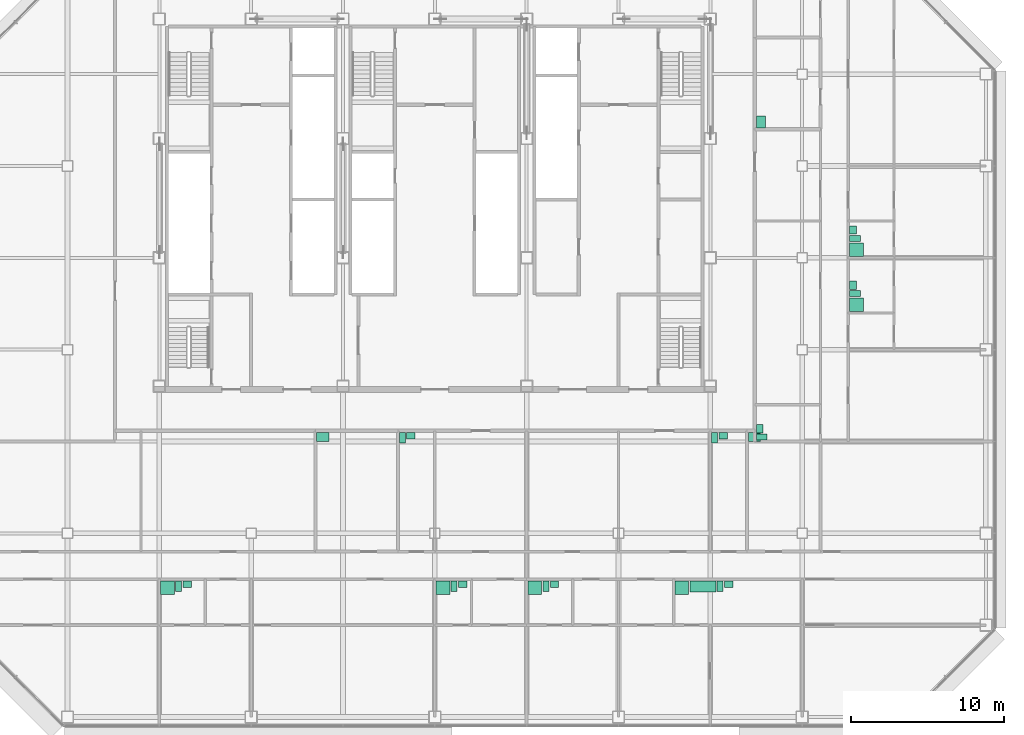
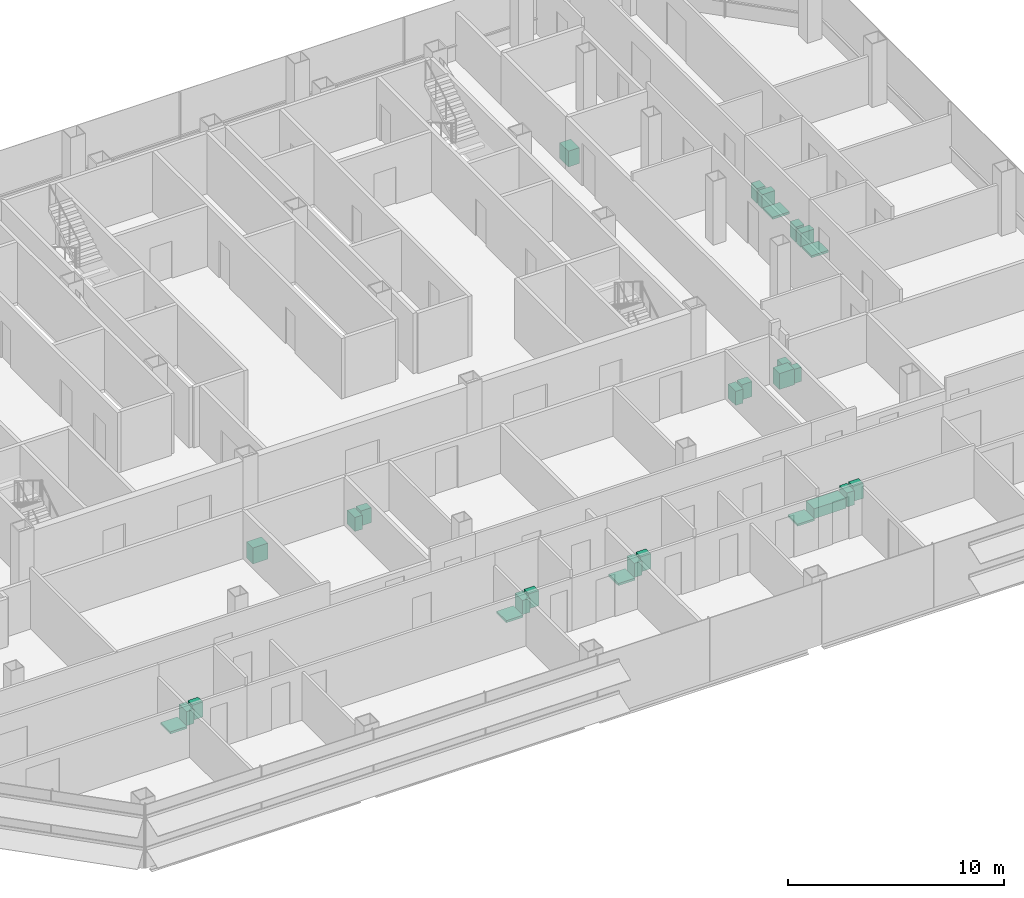
# One storey, part 25 of 25: 28 sanitary terminals.
"""IFC4 building model written with IfcOpenShell, lengths in metres."""

from ifc_helpers import new_model, si_unit, direction, frame, origin, origin_2d, place, context, subcontext, project, spatial, rectangle, extrude, element, save


model = new_model("IFC4")

# Units and contexts
model_context = context("Model", 3, precision=1e-05, world=origin(), true_north=direction((0.0, 1.0)))
body_context = subcontext(model_context, "Body", "Model", "MODEL_VIEW")
ifc_project = project(units=[si_unit("LENGTHUNIT", "METRE"), si_unit("AREAUNIT", "SQUARE_METRE"), si_unit("VOLUMEUNIT", "CUBIC_METRE"), si_unit("PLANEANGLEUNIT", "RADIAN"), si_unit("MASSUNIT", "GRAM", prefix="KILO")], contexts=[model_context])

# Site, building, storey
site_placement = place(None, origin())
site = spatial("IfcSite", under=ifc_project, at=site_placement, CompositionType="ELEMENT")
building_placement = place(site_placement, origin())
building = spatial("IfcBuilding", under=site, at=building_placement, Name="Sorahane Residences", CompositionType="ELEMENT")
storey_placement = place(building_placement, frame((0.0, 0.0, 107.0)))
storey = spatial("IfcBuildingStorey", under=building, at=storey_placement, Name="L23", CompositionType="ELEMENT", Elevation=107.0)

# Sanitary terminals
sanitary_terminal_1_placement = place(storey_placement, frame((6.530029296875, 8.449951171875, 0.0), z_axis=(0.0, 0.0, 1.0), x_axis=(1.0, 0.0, 0.0)))
element("IfcSanitaryTerminal", 1, at=sanitary_terminal_1_placement, inside=storey, Name="Shower tray En-suite bathroom 23A", PredefinedType="SHOWER", context=body_context, shape_type="SweptSolid", body=[
    extrude(rectangle(XDim=0.89990234375, YDim=0.89990234375, at=origin_2d()), origin(), (0.0, 0.0, 1.0), 0.1201171875),
])
sanitary_terminal_2_placement = place(storey_placement, frame((7.260009765625, 8.550048828125, 0.0), z_axis=(0.0, 0.0, 1.0), x_axis=(1.0, 0.0, 0.0)))
element("IfcSanitaryTerminal", 2, at=sanitary_terminal_2_placement, inside=storey, Name="WC pan En-suite bathroom 23A", PredefinedType="TOILETPAN", context=body_context, shape_type="SweptSolid", body=[
    extrude(rectangle(XDim=0.39990234375, YDim=0.699951171875, at=origin_2d()), origin(), (0.0, 0.0, 1.0), 0.800048828125),
])
sanitary_terminal_3_placement = place(storey_placement, frame((7.81494140625, 8.675048828125, 0.0), z_axis=(0.0, 0.0, 1.0), x_axis=(1.0, 0.0, 0.0)))
element("IfcSanitaryTerminal", 3, at=sanitary_terminal_3_placement, inside=storey, Name="Wash basin En-suite bathroom 23A", PredefinedType="WASHHANDBASIN", context=body_context, shape_type="SweptSolid", body=[
    extrude(rectangle(XDim=0.550048828125, YDim=0.449951171875, at=origin_2d()), origin(), (0.0, 0.0, 1.0), 0.85009765625),
])
sanitary_terminal_4_placement = place(storey_placement, frame((24.530029296875, 8.449951171875, 0.0), z_axis=(0.0, 0.0, 1.0), x_axis=(1.0, 0.0, 0.0)))
element("IfcSanitaryTerminal", 4, at=sanitary_terminal_4_placement, inside=storey, Name="Shower tray En-suite bathroom 23A-2", PredefinedType="SHOWER", context=body_context, shape_type="SweptSolid", body=[
    extrude(rectangle(XDim=0.89990234375, YDim=0.89990234375, at=origin_2d()), origin(), (0.0, 0.0, 1.0), 0.1201171875),
])
sanitary_terminal_5_placement = place(storey_placement, frame((25.260009765625, 8.550048828125, 0.0), z_axis=(0.0, 0.0, 1.0), x_axis=(1.0, 0.0, 0.0)))
element("IfcSanitaryTerminal", 5, at=sanitary_terminal_5_placement, inside=storey, Name="WC pan En-suite bathroom 23A-2", PredefinedType="TOILETPAN", context=body_context, shape_type="SweptSolid", body=[
    extrude(rectangle(XDim=0.39990234375, YDim=0.699951171875, at=origin_2d()), origin(), (0.0, 0.0, 1.0), 0.800048828125),
])
sanitary_terminal_6_placement = place(storey_placement, frame((25.81494140625, 8.675048828125, 0.0), z_axis=(0.0, 0.0, 1.0), x_axis=(1.0, 0.0, 0.0)))
element("IfcSanitaryTerminal", 6, at=sanitary_terminal_6_placement, inside=storey, Name="Wash basin En-suite bathroom 23A-2", PredefinedType="WASHHANDBASIN", context=body_context, shape_type="SweptSolid", body=[
    extrude(rectangle(XDim=0.550048828125, YDim=0.449951171875, at=origin_2d()), origin(), (0.0, 0.0, 1.0), 0.85009765625),
])
sanitary_terminal_7_placement = place(storey_placement, frame((16.679931640625, 18.300048828125, 0.0), z_axis=(0.0, 0.0, 1.0), x_axis=(1.0, 0.0, 0.0)))
element("IfcSanitaryTerminal", 7, at=sanitary_terminal_7_placement, inside=storey, Name="Kitchen sink Kitchen 23A", PredefinedType="SINK", context=body_context, shape_type="SweptSolid", body=[
    extrude(rectangle(XDim=0.800048828125, YDim=0.60009765625, at=origin_2d()), origin(), (0.0, 0.0, 1.0), 0.89990234375),
])
sanitary_terminal_8_placement = place(storey_placement, frame((21.8798828125, 18.25, 0.0), z_axis=(0.0, 0.0, 1.0), x_axis=(1.0, 0.0, 0.0)))
element("IfcSanitaryTerminal", 8, at=sanitary_terminal_8_placement, inside=storey, Name="WC pan Powder room 23A", PredefinedType="TOILETPAN", context=body_context, shape_type="SweptSolid", body=[
    extrude(rectangle(XDim=0.39990234375, YDim=0.699951171875, at=origin_2d()), origin(), (0.0, 0.0, 1.0), 0.800048828125),
])
sanitary_terminal_9_placement = place(storey_placement, frame((22.43505859375, 18.375, 0.0), z_axis=(0.0, 0.0, 1.0), x_axis=(1.0, 0.0, 0.0)))
element("IfcSanitaryTerminal", 9, at=sanitary_terminal_9_placement, inside=storey, Name="Wash basin Powder room 23A", PredefinedType="WASHHANDBASIN", context=body_context, shape_type="SweptSolid", body=[
    extrude(rectangle(XDim=0.550048828125, YDim=0.449951171875, at=origin_2d()), origin(), (0.0, 0.0, 1.0), 0.85009765625),
])
sanitary_terminal_10_placement = place(storey_placement, frame((30.530029296875, 8.449951171875, 0.0), z_axis=(0.0, 0.0, 1.0), x_axis=(1.0, 0.0, 0.0)))
element("IfcSanitaryTerminal", 10, at=sanitary_terminal_10_placement, inside=storey, Name="Shower tray En-suite bathroom 23B", PredefinedType="SHOWER", context=body_context, shape_type="SweptSolid", body=[
    extrude(rectangle(XDim=0.89990234375, YDim=0.89990234375, at=origin_2d()), origin(), (0.0, 0.0, 1.0), 0.1201171875),
])
sanitary_terminal_11_placement = place(storey_placement, frame((31.260009765625, 8.550048828125, 0.0), z_axis=(0.0, 0.0, 1.0), x_axis=(1.0, 0.0, 0.0)))
element("IfcSanitaryTerminal", 11, at=sanitary_terminal_11_placement, inside=storey, Name="WC pan En-suite bathroom 23B", PredefinedType="TOILETPAN", context=body_context, shape_type="SweptSolid", body=[
    extrude(rectangle(XDim=0.39990234375, YDim=0.699951171875, at=origin_2d()), origin(), (0.0, 0.0, 1.0), 0.800048828125),
])
sanitary_terminal_12_placement = place(storey_placement, frame((31.81494140625, 8.675048828125, 0.0), z_axis=(0.0, 0.0, 1.0), x_axis=(1.0, 0.0, 0.0)))
element("IfcSanitaryTerminal", 12, at=sanitary_terminal_12_placement, inside=storey, Name="Wash basin En-suite bathroom 23B", PredefinedType="WASHHANDBASIN", context=body_context, shape_type="SweptSolid", body=[
    extrude(rectangle(XDim=0.550048828125, YDim=0.449951171875, at=origin_2d()), origin(), (0.0, 0.0, 1.0), 0.85009765625),
])
sanitary_terminal_13_placement = place(storey_placement, frame((40.1298828125, 8.449951171875, 0.0), z_axis=(0.0, 0.0, 1.0), x_axis=(1.0, 0.0, 0.0)))
element("IfcSanitaryTerminal", 13, at=sanitary_terminal_13_placement, inside=storey, Name="Shower tray En-suite bathroom 23B-2", PredefinedType="SHOWER", context=body_context, shape_type="SweptSolid", body=[
    extrude(rectangle(XDim=0.89990234375, YDim=0.89990234375, at=origin_2d()), origin(), (0.0, 0.0, 1.0), 0.1201171875),
])
sanitary_terminal_14_placement = place(storey_placement, frame((41.510009765625, 8.52490234375, 0.0), z_axis=(0.0, 0.0, 1.0), x_axis=(1.0, 0.0, 0.0)))
element("IfcSanitaryTerminal", 14, at=sanitary_terminal_14_placement, inside=storey, Name="Bath En-suite bathroom 23B-2", PredefinedType="BATH", context=body_context, shape_type="SweptSolid", body=[
    extrude(rectangle(XDim=1.699951171875, YDim=0.75, at=origin_2d()), origin(), (0.0, 0.0, 1.0), 0.56005859375),
])
sanitary_terminal_15_placement = place(storey_placement, frame((42.639892578125, 8.550048828125, 0.0), z_axis=(0.0, 0.0, 1.0), x_axis=(1.0, 0.0, 0.0)))
element("IfcSanitaryTerminal", 15, at=sanitary_terminal_15_placement, inside=storey, Name="WC pan En-suite bathroom 23B-2", PredefinedType="TOILETPAN", context=body_context, shape_type="SweptSolid", body=[
    extrude(rectangle(XDim=0.39990234375, YDim=0.699951171875, at=origin_2d()), origin(), (0.0, 0.0, 1.0), 0.800048828125),
])
sanitary_terminal_16_placement = place(storey_placement, frame((43.195068359375, 8.675048828125, 0.0), z_axis=(0.0, 0.0, 1.0), x_axis=(1.0, 0.0, 0.0)))
element("IfcSanitaryTerminal", 16, at=sanitary_terminal_16_placement, inside=storey, Name="Wash basin En-suite bathroom 23B-2", PredefinedType="WASHHANDBASIN", context=body_context, shape_type="SweptSolid", body=[
    extrude(rectangle(XDim=0.550048828125, YDim=0.449951171875, at=origin_2d()), origin(), (0.0, 0.0, 1.0), 0.85009765625),
])
sanitary_terminal_17_placement = place(storey_placement, frame((42.280029296875, 18.25, 0.0), z_axis=(0.0, 0.0, 1.0), x_axis=(1.0, 0.0, 0.0)))
element("IfcSanitaryTerminal", 17, at=sanitary_terminal_17_placement, inside=storey, Name="WC pan Guest WC 23B", PredefinedType="TOILETPAN", context=body_context, shape_type="SweptSolid", body=[
    extrude(rectangle(XDim=0.39990234375, YDim=0.699951171875, at=origin_2d()), origin(), (0.0, 0.0, 1.0), 0.800048828125),
])
sanitary_terminal_18_placement = place(storey_placement, frame((42.8349609375, 18.375, 0.0), z_axis=(0.0, 0.0, 1.0), x_axis=(1.0, 0.0, 0.0)))
element("IfcSanitaryTerminal", 18, at=sanitary_terminal_18_placement, inside=storey, Name="Wash basin Guest WC 23B", PredefinedType="WASHHANDBASIN", context=body_context, shape_type="SweptSolid", body=[
    extrude(rectangle(XDim=0.550048828125, YDim=0.449951171875, at=origin_2d()), origin(), (0.0, 0.0, 1.0), 0.85009765625),
])
sanitary_terminal_19_placement = place(storey_placement, frame((44.8798828125, 18.300048828125, 0.0), z_axis=(0.0, 0.0, 1.0), x_axis=(1.0, 0.0, 0.0)))
element("IfcSanitaryTerminal", 19, at=sanitary_terminal_19_placement, inside=storey, Name="Kitchen sink Kitchen 23B", PredefinedType="SINK", context=body_context, shape_type="SweptSolid", body=[
    extrude(rectangle(XDim=0.800048828125, YDim=0.60009765625, at=origin_2d()), origin(), (0.0, 0.0, 1.0), 0.89990234375),
])
sanitary_terminal_20_placement = place(storey_placement, frame((51.550048828125, 26.929931640625, 0.0), z_axis=(0.0, 0.0, 1.0), x_axis=(0.0, 1.0, 0.0)))
element("IfcSanitaryTerminal", 20, at=sanitary_terminal_20_placement, inside=storey, Name="Shower tray En-suite bathroom 23C", PredefinedType="SHOWER", context=body_context, shape_type="SweptSolid", body=[
    extrude(rectangle(XDim=0.89990234375, YDim=0.89990234375, at=origin_2d()), origin(), (0.0, 0.0, 1.0), 0.1201171875),
])
sanitary_terminal_21_placement = place(storey_placement, frame((51.449951171875, 27.659912109375, 0.0), z_axis=(0.0, 0.0, 1.0), x_axis=(0.0, 1.0, 0.0)))
element("IfcSanitaryTerminal", 21, at=sanitary_terminal_21_placement, inside=storey, Name="WC pan En-suite bathroom 23C", PredefinedType="TOILETPAN", context=body_context, shape_type="SweptSolid", body=[
    extrude(rectangle(XDim=0.39990234375, YDim=0.699951171875, at=origin_2d()), origin(), (0.0, 0.0, 1.0), 0.800048828125),
])
sanitary_terminal_22_placement = place(storey_placement, frame((51.324951171875, 28.215087890625, 0.0), z_axis=(0.0, 0.0, 1.0), x_axis=(0.0, 1.0, 0.0)))
element("IfcSanitaryTerminal", 22, at=sanitary_terminal_22_placement, inside=storey, Name="Wash basin En-suite bathroom 23C", PredefinedType="WASHHANDBASIN", context=body_context, shape_type="SweptSolid", body=[
    extrude(rectangle(XDim=0.550048828125, YDim=0.449951171875, at=origin_2d()), origin(), (0.0, 0.0, 1.0), 0.85009765625),
])
sanitary_terminal_23_placement = place(storey_placement, frame((51.550048828125, 30.530029296875, 0.0), z_axis=(0.0, 0.0, 1.0), x_axis=(0.0, 1.0, 0.0)))
element("IfcSanitaryTerminal", 23, at=sanitary_terminal_23_placement, inside=storey, Name="Shower tray En-suite bathroom 23C-2", PredefinedType="SHOWER", context=body_context, shape_type="SweptSolid", body=[
    extrude(rectangle(XDim=0.89990234375, YDim=0.89990234375, at=origin_2d()), origin(), (0.0, 0.0, 1.0), 0.1201171875),
])
sanitary_terminal_24_placement = place(storey_placement, frame((51.449951171875, 31.260009765625, 0.0), z_axis=(0.0, 0.0, 1.0), x_axis=(0.0, 1.0, 0.0)))
element("IfcSanitaryTerminal", 24, at=sanitary_terminal_24_placement, inside=storey, Name="WC pan En-suite bathroom 23C-2", PredefinedType="TOILETPAN", context=body_context, shape_type="SweptSolid", body=[
    extrude(rectangle(XDim=0.39990234375, YDim=0.699951171875, at=origin_2d()), origin(), (0.0, 0.0, 1.0), 0.800048828125),
])
sanitary_terminal_25_placement = place(storey_placement, frame((51.324951171875, 31.81494140625, 0.0), z_axis=(0.0, 0.0, 1.0), x_axis=(0.0, 1.0, 0.0)))
element("IfcSanitaryTerminal", 25, at=sanitary_terminal_25_placement, inside=storey, Name="Wash basin En-suite bathroom 23C-2", PredefinedType="WASHHANDBASIN", context=body_context, shape_type="SweptSolid", body=[
    extrude(rectangle(XDim=0.550048828125, YDim=0.449951171875, at=origin_2d()), origin(), (0.0, 0.0, 1.0), 0.85009765625),
])
sanitary_terminal_26_placement = place(storey_placement, frame((45.35009765625, 18.280029296875, 0.0), z_axis=(0.0, 0.0, 1.0), x_axis=(0.0, 1.0, 0.0)))
element("IfcSanitaryTerminal", 26, at=sanitary_terminal_26_placement, inside=storey, Name="WC pan Powder room 23C", PredefinedType="TOILETPAN", context=body_context, shape_type="SweptSolid", body=[
    extrude(rectangle(XDim=0.39990234375, YDim=0.699951171875, at=origin_2d()), origin(), (0.0, 0.0, 1.0), 0.800048828125),
])
sanitary_terminal_27_placement = place(storey_placement, frame((45.22509765625, 18.8349609375, 0.0), z_axis=(0.0, 0.0, 1.0), x_axis=(0.0, 1.0, 0.0)))
element("IfcSanitaryTerminal", 27, at=sanitary_terminal_27_placement, inside=storey, Name="Wash basin Powder room 23C", PredefinedType="WASHHANDBASIN", context=body_context, shape_type="SweptSolid", body=[
    extrude(rectangle(XDim=0.550048828125, YDim=0.449951171875, at=origin_2d()), origin(), (0.0, 0.0, 1.0), 0.85009765625),
])
sanitary_terminal_28_placement = place(storey_placement, frame((45.300048828125, 38.8798828125, 0.0), z_axis=(0.0, 0.0, 1.0), x_axis=(0.0, 1.0, 0.0)))
element("IfcSanitaryTerminal", 28, at=sanitary_terminal_28_placement, inside=storey, Name="Kitchen sink Kitchen 23C", PredefinedType="SINK", context=body_context, shape_type="SweptSolid", body=[
    extrude(rectangle(XDim=0.800048828125, YDim=0.60009765625, at=origin_2d()), origin(), (0.0, 0.0, 1.0), 0.89990234375),
])

save(model, "model.ifc")
